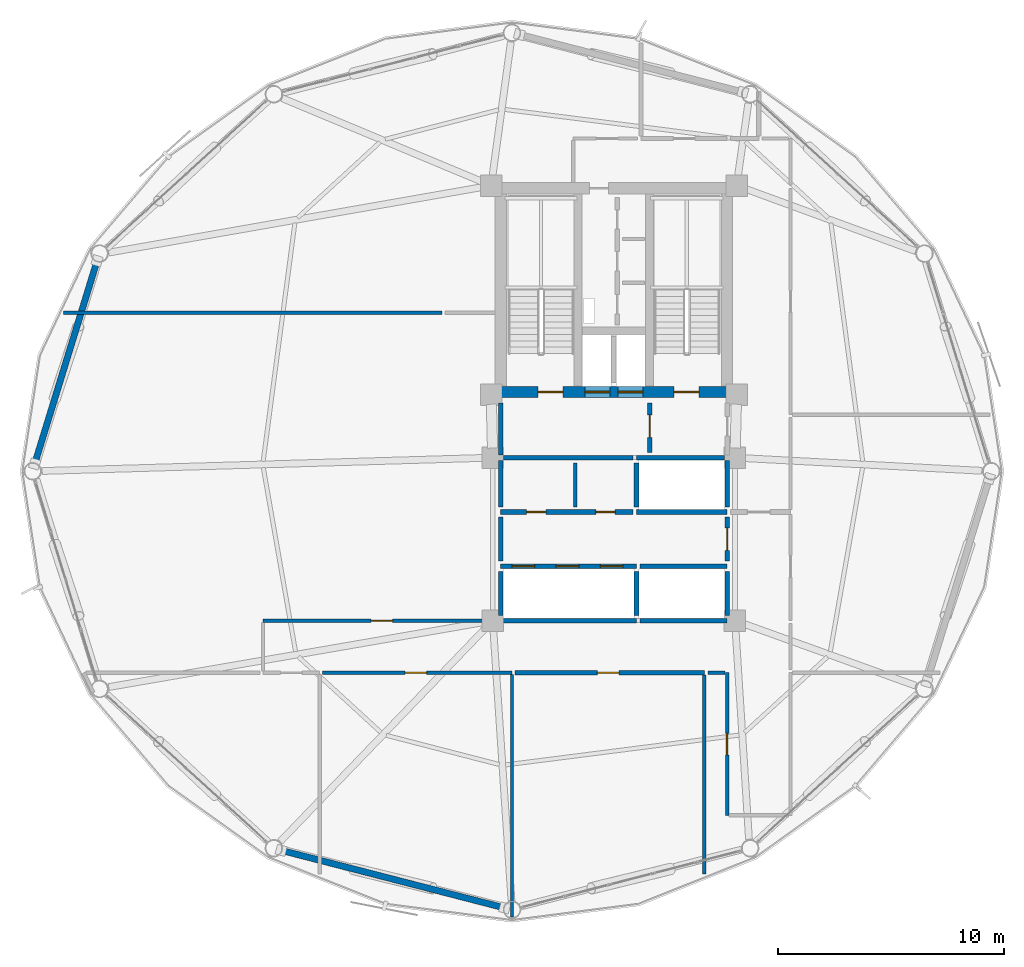
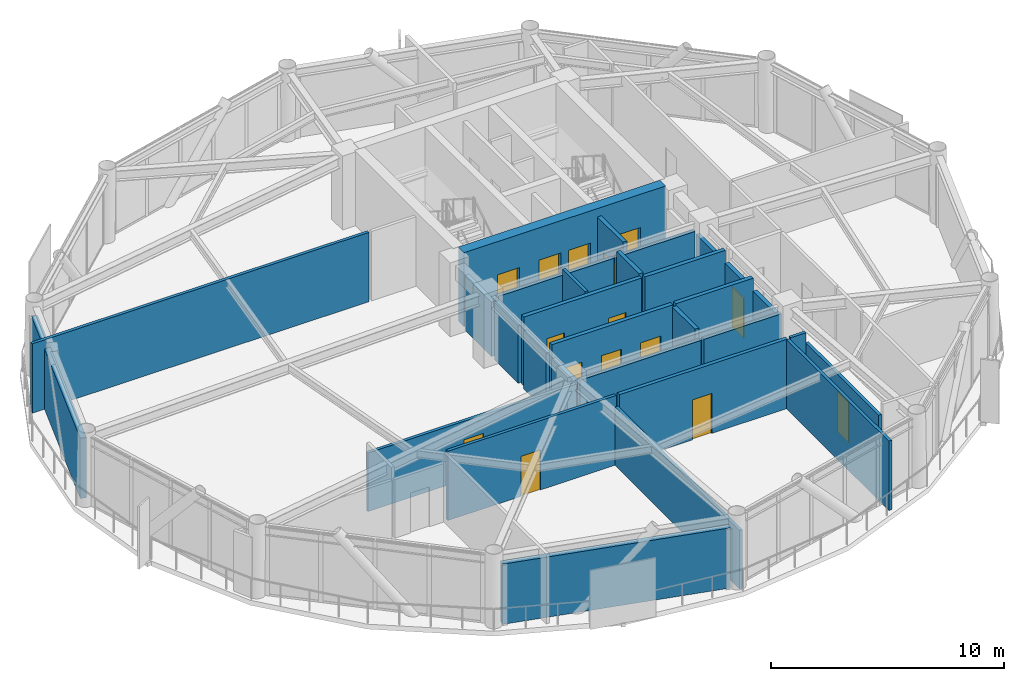
# One storey, part 20 of 25: 30 walls, 15 doors, 15 openings.
"""IFC4 building model written with IfcOpenShell, lengths in metres."""

from ifc_helpers import new_model, si_unit, direction, frame, frame_2d, origin, place, context, subcontext, project, spatial, rectangle, extrude, material, layer, layer_set, type_object, element, fill, save


model = new_model("IFC4")

# Units and contexts
model_context = context("Model", 3, precision=1e-05, world=origin(), true_north=direction((0.0, 1.0)))
body_context = subcontext(model_context, "Body", "Model", "MODEL_VIEW")
ifc_project = project(units=[si_unit("LENGTHUNIT", "METRE"), si_unit("AREAUNIT", "SQUARE_METRE"), si_unit("VOLUMEUNIT", "CUBIC_METRE"), si_unit("PLANEANGLEUNIT", "RADIAN"), si_unit("MASSUNIT", "GRAM", prefix="KILO")], contexts=[model_context])

# Site, building, storey
site_placement = place(None, origin())
site = spatial("IfcSite", under=ifc_project, at=site_placement, CompositionType="ELEMENT")
building_placement = place(site_placement, origin())
building = spatial("IfcBuilding", under=site, at=building_placement, Name="Varnakorn Sky Granary", CompositionType="ELEMENT")
storey_placement = place(building_placement, frame((0.0, 0.0, 126.60009765625)))
storey = spatial("IfcBuildingStorey", under=building, at=storey_placement, Name="L31", CompositionType="ELEMENT", Elevation=126.60009765625)

# Wall, openings, doors
ifc_material_1 = material(Name="Concrete C60/75", Category="concrete")
ifc_layer_1 = layer(ifc_material_1, 0.5, Name="Concrete C60/75")
ifc_layer_set_1 = layer_set([ifc_layer_1], Name="Concrete C60/75")
wall_type_1 = type_object("IfcWallType", Name="WT-CW-SHEAR-500", PredefinedType="SHEAR", material=ifc_layer_set_1)
wall_1_placement = place(storey_placement, frame((-2.0, 3.5, 0.0), z_axis=(0.0, 0.0, 1.0), x_axis=(1.0, 0.0, 0.0)))
wall_1 = element("IfcWall", 1, at=wall_1_placement, inside=storey, type_object=wall_type_1, Name="Core South Shear Wall L31", PredefinedType="SHEAR", context=body_context, shape_type="SweptSolid", body=[
    extrude(rectangle(XDim=10.0, YDim=0.5, at=frame_2d((5.0, 0.0))), origin(), (0.0, 0.0, 1.0), 3.891845703125),
])
opening_1_placement = place(wall_1_placement, frame((1.64990234375, 0.0, 0.0)))
opening_1 = element("IfcOpeningElement", 2, at=opening_1_placement, cuts=wall_1, Name="Opening FD-90", PredefinedType="OPENING", context=body_context, shape_type="SweptSolid", body=[
    extrude(rectangle(XDim=1.10009765625, YDim=2.14990234375, at=frame_2d((0.550048828125, 1.074951171875))), frame((0.0, 0.260009765625, 0.0), z_axis=(0.0, -1.0, 0.0), x_axis=(1.0, 0.0, 0.0)), (0.0, 0.0, 1.0), 0.52001953125),
])
opening_2_placement = place(wall_1_placement, frame((7.64990234375, 0.0, 0.0)))
opening_2 = element("IfcOpeningElement", 3, at=opening_2_placement, cuts=wall_1, Name="Opening FD-90", PredefinedType="OPENING", context=body_context, shape_type="SweptSolid", body=[
    extrude(rectangle(XDim=1.10009765625, YDim=2.14990234375, at=frame_2d((0.550048828125, 1.074951171875))), frame((0.0, 0.260009765625, 0.0), z_axis=(0.0, -1.0, 0.0), x_axis=(1.0, 0.0, 0.0)), (0.0, 0.0, 1.0), 0.52001953125),
])
opening_3_placement = place(wall_1_placement, frame((3.719970703125, 0.0, 0.0)))
opening_3 = element("IfcOpeningElement", 4, at=opening_3_placement, cuts=wall_1, Name="Opening LD-01", PredefinedType="OPENING", context=body_context, shape_type="SweptSolid", body=[
    extrude(rectangle(XDim=1.10009765625, YDim=2.199951171875, at=frame_2d((0.550048828125, 1.10009765625))), frame((0.0, 0.260009765625, 0.0), z_axis=(0.0, -1.0, 0.0), x_axis=(1.0, 0.0, 0.0)), (0.0, 0.0, 1.0), 0.52001953125),
])
opening_4_placement = place(wall_1_placement, frame((5.179931640625, 0.0, 0.0)))
opening_4 = element("IfcOpeningElement", 5, at=opening_4_placement, cuts=wall_1, Name="Opening LD-01", PredefinedType="OPENING", context=body_context, shape_type="SweptSolid", body=[
    extrude(rectangle(XDim=1.10009765625, YDim=2.199951171875, at=frame_2d((0.550048828125, 1.10009765625))), frame((0.0, 0.260009765625, 0.0), z_axis=(0.0, -1.0, 0.0), x_axis=(1.0, 0.0, 0.0)), (0.0, 0.0, 1.0), 0.52001953125),
])
ifc_material_2 = material(Name="Brushed Bronze Stainless Steel", Category="steel")
door_type_1 = type_object("IfcDoorType", Name="DR-LD-1100", OperationType="DOUBLE_DOOR_SLIDING", PredefinedType="DOOR", material=ifc_material_2)
door_1_placement = place(opening_3_placement, origin())
door_1 = element("IfcDoor", 6, at=door_1_placement, inside=storey, type_object=door_type_1, Name="Firefighting Lift FFL-1 Landing Door L31", OperationType="DOUBLE_DOOR_SLIDING", OverallHeight=2.199951171875, OverallWidth=1.10009765625, PredefinedType="DOOR", context=body_context, shape_type="SweptSolid", body=[
    extrude(rectangle(XDim=1.10009765625, YDim=2.199951171875, at=frame_2d((0.550048828125, 1.10009765625))), frame((0.0, 0.02490234375, 0.0), z_axis=(0.0, -1.0, 0.0), x_axis=(1.0, 0.0, 0.0)), (0.0, 0.0, 1.0), 0.050048828125),
])
fill(opening_3, door_1)
door_2_placement = place(opening_4_placement, origin())
door_2 = element("IfcDoor", 7, at=door_2_placement, inside=storey, type_object=door_type_1, Name="Firefighting Lift FFL-2 Landing Door L31", OperationType="DOUBLE_DOOR_SLIDING", OverallHeight=2.199951171875, OverallWidth=1.10009765625, PredefinedType="DOOR", context=body_context, shape_type="SweptSolid", body=[
    extrude(rectangle(XDim=1.10009765625, YDim=2.199951171875, at=frame_2d((0.550048828125, 1.10009765625))), frame((0.0, 0.02490234375, 0.0), z_axis=(0.0, -1.0, 0.0), x_axis=(1.0, 0.0, 0.0)), (0.0, 0.0, 1.0), 0.050048828125),
])
fill(opening_4, door_2)
ifc_material_3 = material(Name="Galvanised Painted Steel Leaf", Category="steel")
door_type_2 = type_object("IfcDoorType", Name="DR-STAIR-1100", OperationType="NOTDEFINED", PredefinedType="DOOR", material=ifc_material_3)
door_3_placement = place(opening_1_placement, origin())
door_3 = element("IfcDoor", 8, at=door_3_placement, inside=storey, type_object=door_type_2, Name="Stair ST-1 Protected Fire Door L31", OperationType="SINGLE_SWING_LEFT", OverallHeight=2.14990234375, OverallWidth=1.10009765625, PredefinedType="DOOR", context=body_context, shape_type="SweptSolid", body=[
    extrude(rectangle(XDim=1.10009765625, YDim=2.14990234375, at=frame_2d((0.550048828125, 1.074951171875))), frame((0.0, 0.02490234375, 0.0), z_axis=(0.0, -1.0, 0.0), x_axis=(1.0, 0.0, 0.0)), (0.0, 0.0, 1.0), 0.050048828125),
])
fill(opening_1, door_3)
door_4_placement = place(opening_2_placement, origin())
door_4 = element("IfcDoor", 9, at=door_4_placement, inside=storey, type_object=door_type_2, Name="Stair ST-2 Protected Fire Door L31", OperationType="SINGLE_SWING_RIGHT", OverallHeight=2.14990234375, OverallWidth=1.10009765625, PredefinedType="DOOR", context=body_context, shape_type="SweptSolid", body=[
    extrude(rectangle(XDim=1.10009765625, YDim=2.14990234375, at=frame_2d((0.550048828125, 1.074951171875))), frame((0.0, 0.02490234375, 0.0), z_axis=(0.0, -1.0, 0.0), x_axis=(1.0, 0.0, 0.0)), (0.0, 0.0, 1.0), 0.050048828125),
])
fill(opening_2, door_4)

# Walls
ifc_material_4 = material(Name="Precast concrete C40/50", Category="concrete")
ifc_layer_2 = layer(ifc_material_4, 0.280029296875, Name="Precast concrete C40/50")
ifc_layer_set_2 = layer_set([ifc_layer_2], Name="Precast concrete C40/50")
wall_type_2 = type_object("IfcWallType", Name="WT-EW-CRN-280", PredefinedType="SOLIDWALL", material=ifc_layer_set_2)
wall_2_placement = place(storey_placement, frame((-22.584228515625, 0.3212890625, 0.0), z_axis=(0.0, 0.0, 1.0), x_axis=(0.293614487482, 0.95592391577, 0.0)))
element("IfcWall", 10, at=wall_2_placement, inside=storey, type_object=wall_type_2, Name="Agritech Insulated Precast Facade Wall L31-P06", PredefinedType="SOLIDWALL", context=body_context, shape_type="SweptSolid", body=[
    extrude(rectangle(XDim=9.390869140625, YDim=0.280029296875, at=frame_2d((4.6953125, 0.0))), origin(), (0.0, 0.0, 1.0), 3.159912109375),
])
wall_3_placement = place(storey_placement, frame((-1.825439453125, -19.2900390625, 0.0), z_axis=(0.0, 0.0, 1.0), x_axis=(-0.968353343562, 0.249583256675, 0.0)))
element("IfcWall", 11, at=wall_3_placement, inside=storey, type_object=wall_type_2, Name="Agritech Insulated Precast Facade Wall L31-P09", PredefinedType="SOLIDWALL", context=body_context, shape_type="SweptSolid", body=[
    extrude(rectangle(XDim=10.19580078125, YDim=0.280029296875, at=frame_2d((5.097900390625, 0.0))), origin(), (0.0, 0.0, 1.0), 3.159912109375),
])

# Wall, opening, door
ifc_material_5 = material(Name="Autoclaved Aerated Concrete Blockwork", Category="masonry")
ifc_layer_3 = layer(ifc_material_5, 0.199951171875, Name="Autoclaved Aerated Concrete Blockwork")
ifc_layer_set_3 = layer_set([ifc_layer_3], Name="Autoclaved Aerated Concrete Blockwork")
wall_type_3 = type_object("IfcWallType", Name="WT-FIRE-200", PredefinedType="MOVABLE", material=ifc_layer_set_3)
wall_4_placement = place(storey_placement, frame((4.580078125, 0.830078125, 0.0), z_axis=(0.0, 0.0, 1.0), x_axis=(0.0, 1.0, 0.0)))
wall_4 = element("IfcWall", 12, at=wall_4_placement, inside=storey, type_object=wall_type_3, Name="Interior Partition Wall L31-014", PredefinedType="MOVABLE", context=body_context, shape_type="SweptSolid", body=[
    extrude(rectangle(XDim=2.18994140625, YDim=0.199951171875, at=frame_2d((1.094970703125, 0.0))), origin(), (0.0, 0.0, 1.0), 3.639892578125),
])
opening_5_placement = place(wall_4_placement, frame((0.659912109375, 0.0, 0.0)))
opening_5 = element("IfcOpeningElement", 13, at=opening_5_placement, cuts=wall_4, Name="Opening FD-60", PredefinedType="OPENING", context=body_context, shape_type="SweptSolid", body=[
    extrude(rectangle(XDim=1.0, YDim=2.10009765625, at=frame_2d((0.5, 1.050048828125))), frame((0.0, 0.10986328125, 0.0), z_axis=(0.0, -1.0, 0.0), x_axis=(1.0, 0.0, 0.0)), (0.0, 0.0, 1.0), 0.219970703125),
])
ifc_material_6 = material(Name="Acoustic Timber Fire Leaf", Category="wood")
door_type_3 = type_object("IfcDoorType", Name="DR-FD60-1000", OperationType="NOTDEFINED", PredefinedType="DOOR", material=ifc_material_6)
door_5_placement = place(opening_5_placement, origin())
door_5 = element("IfcDoor", 14, at=door_5_placement, inside=storey, type_object=door_type_3, Name="Interior Door L31-014-1", OperationType="SINGLE_SWING_RIGHT", OverallHeight=2.10009765625, OverallWidth=1.0, PredefinedType="DOOR", context=body_context, shape_type="SweptSolid", body=[
    extrude(rectangle(XDim=1.0, YDim=2.10009765625, at=frame_2d((0.5, 1.050048828125))), frame((0.0, 0.02490234375, 0.0), z_axis=(0.0, -1.0, 0.0), x_axis=(1.0, 0.0, 0.0)), (0.0, 0.0, 1.0), 0.050048828125),
])
fill(opening_5, door_5)

wall_5_placement = place(storey_placement, frame((8.0, -3.969970703125, 0.0), z_axis=(0.0, 0.0, 1.0), x_axis=(0.0, 1.0, 0.0)))
wall_5 = element("IfcWall", 15, at=wall_5_placement, inside=storey, type_object=wall_type_3, Name="Interior Partition Wall L31-016", PredefinedType="MOVABLE", context=body_context, shape_type="SweptSolid", body=[
    extrude(rectangle(XDim=1.93994140625, YDim=0.199951171875, at=frame_2d((0.969970703125, 0.0))), origin(), (0.0, 0.0, 1.0), 3.072021484375),
])
opening_6_placement = place(wall_5_placement, frame((0.469970703125, 0.0, 0.0)))
opening_6 = element("IfcOpeningElement", 16, at=opening_6_placement, cuts=wall_5, Name="Opening FD-60", PredefinedType="OPENING", context=body_context, shape_type="SweptSolid", body=[
    extrude(rectangle(XDim=1.0, YDim=2.10009765625, at=frame_2d((0.5, 1.050048828125))), frame((0.0, 0.10986328125, 0.0), z_axis=(0.0, -1.0, 0.0), x_axis=(1.0, 0.0, 0.0)), (0.0, 0.0, 1.0), 0.219970703125),
])
door_6_placement = place(opening_6_placement, origin())
door_6 = element("IfcDoor", 17, at=door_6_placement, inside=storey, type_object=door_type_3, Name="Interior Door L31-016-1", OperationType="SINGLE_SWING_RIGHT", OverallHeight=2.10009765625, OverallWidth=1.0, PredefinedType="DOOR", context=body_context, shape_type="SweptSolid", body=[
    extrude(rectangle(XDim=1.0, YDim=2.10009765625, at=frame_2d((0.5, 1.050048828125))), frame((0.0, 0.02490234375, 0.0), z_axis=(0.0, -1.0, 0.0), x_axis=(1.0, 0.0, 0.0)), (0.0, 0.0, 1.0), 0.050048828125),
])
fill(opening_6, door_6)

# Wall, openings, doors
wall_6_placement = place(storey_placement, frame((-2.0, -1.800048828125, 0.0), z_axis=(0.0, 0.0, 1.0), x_axis=(1.0, 0.0, 0.0)))
wall_6 = element("IfcWall", 18, at=wall_6_placement, inside=storey, type_object=wall_type_3, Name="Interior Partition Wall L31-017", PredefinedType="MOVABLE", context=body_context, shape_type="SweptSolid", body=[
    extrude(rectangle(XDim=5.840087890625, YDim=0.199951171875, at=frame_2d((2.919921875, 0.0))), origin(), (0.0, 0.0, 1.0), 3.639892578125),
])
opening_7_placement = place(wall_6_placement, frame((1.14990234375, 0.0, 0.0)))
opening_7 = element("IfcOpeningElement", 19, at=opening_7_placement, cuts=wall_6, Name="Opening FD-60N", PredefinedType="OPENING", context=body_context, shape_type="SweptSolid", body=[
    extrude(rectangle(XDim=0.85009765625, YDim=2.10009765625, at=frame_2d((0.425048828125, 1.050048828125))), frame((0.0, 0.10986328125, 0.0), z_axis=(0.0, -1.0, 0.0), x_axis=(1.0, 0.0, 0.0)), (0.0, 0.0, 1.0), 0.219970703125),
])
opening_8_placement = place(wall_6_placement, frame((4.199951171875, 0.0, 0.0)))
opening_8 = element("IfcOpeningElement", 20, at=opening_8_placement, cuts=wall_6, Name="Opening FD-60N", PredefinedType="OPENING", context=body_context, shape_type="SweptSolid", body=[
    extrude(rectangle(XDim=0.85009765625, YDim=2.10009765625, at=frame_2d((0.425048828125, 1.050048828125))), frame((0.0, 0.10986328125, 0.0), z_axis=(0.0, -1.0, 0.0), x_axis=(1.0, 0.0, 0.0)), (0.0, 0.0, 1.0), 0.219970703125),
])
door_type_4 = type_object("IfcDoorType", Name="DR-FD60-850", OperationType="NOTDEFINED", PredefinedType="DOOR", material=ifc_material_6)
door_7_placement = place(opening_7_placement, origin())
door_7 = element("IfcDoor", 21, at=door_7_placement, inside=storey, type_object=door_type_4, Name="Interior Door L31-017-1", OperationType="SINGLE_SWING_LEFT", OverallHeight=2.10009765625, OverallWidth=0.85009765625, PredefinedType="DOOR", context=body_context, shape_type="SweptSolid", body=[
    extrude(rectangle(XDim=0.85009765625, YDim=2.10009765625, at=frame_2d((0.425048828125, 1.050048828125))), frame((0.0, 0.02490234375, 0.0), z_axis=(0.0, -1.0, 0.0), x_axis=(1.0, 0.0, 0.0)), (0.0, 0.0, 1.0), 0.050048828125),
])
fill(opening_7, door_7)
door_8_placement = place(opening_8_placement, origin())
door_8 = element("IfcDoor", 22, at=door_8_placement, inside=storey, type_object=door_type_4, Name="Interior Door L31-017-2", OperationType="SINGLE_SWING_RIGHT", OverallHeight=2.10009765625, OverallWidth=0.85009765625, PredefinedType="DOOR", context=body_context, shape_type="SweptSolid", body=[
    extrude(rectangle(XDim=0.85009765625, YDim=2.10009765625, at=frame_2d((0.425048828125, 1.050048828125))), frame((0.0, 0.02490234375, 0.0), z_axis=(0.0, -1.0, 0.0), x_axis=(1.0, 0.0, 0.0)), (0.0, 0.0, 1.0), 0.050048828125),
])
fill(opening_8, door_8)

# Walls
wall_7_placement = place(storey_placement, frame((-1.8798828125, 0.60009765625, 0.0), z_axis=(0.0, 0.0, 1.0), x_axis=(1.0, 0.0, 0.0)))
element("IfcWall", 23, at=wall_7_placement, inside=storey, type_object=wall_type_3, Name="Interior Partition Wall L31-030", PredefinedType="MOVABLE", context=body_context, shape_type="SweptSolid", body=[
    extrude(rectangle(XDim=5.719970703125, YDim=0.199951171875, at=frame_2d((2.85986328125, 0.0))), origin(), (0.0, 0.0, 1.0), 3.221923828125),
])
wall_8_placement = place(storey_placement, frame((-2.0, 0.719970703125, 0.0), z_axis=(0.0, 0.0, 1.0), x_axis=(0.0, 1.0, 0.0)))
element("IfcWall", 24, at=wall_8_placement, inside=storey, type_object=wall_type_3, Name="Interior Partition Wall L31-031", PredefinedType="MOVABLE", context=body_context, shape_type="SweptSolid", body=[
    extrude(rectangle(XDim=2.300048828125, YDim=0.199951171875, at=frame_2d((1.14990234375, 0.0))), origin(), (0.0, 0.0, 1.0), 2.871826171875),
])
wall_9_placement = place(storey_placement, frame((-2.0, -3.969970703125, 0.0), z_axis=(0.0, 0.0, 1.0), x_axis=(0.0, 1.0, 0.0)))
element("IfcWall", 25, at=wall_9_placement, inside=storey, type_object=wall_type_3, Name="Interior Partition Wall L31-032", PredefinedType="MOVABLE", context=body_context, shape_type="SweptSolid", body=[
    extrude(rectangle(XDim=1.93994140625, YDim=0.199951171875, at=frame_2d((0.969970703125, 0.0))), origin(), (0.0, 0.0, 1.0), 3.02197265625),
])
wall_10_placement = place(storey_placement, frame((-2.0, -1.570068359375, 0.0), z_axis=(0.0, 0.0, 1.0), x_axis=(0.0, 1.0, 0.0)))
element("IfcWall", 26, at=wall_10_placement, inside=storey, type_object=wall_type_3, Name="Interior Partition Wall L31-034", PredefinedType="MOVABLE", context=body_context, shape_type="SweptSolid", body=[
    extrude(rectangle(XDim=2.050048828125, YDim=0.199951171875, at=frame_2d((1.02490234375, 0.0))), origin(), (0.0, 0.0, 1.0), 3.02197265625),
])

# Wall, opening, door
ifc_material_7 = material(Name="Gypsum Plasterboard on Steel Stud", Category="steel")
ifc_layer_4 = layer(ifc_material_7, 0.14990234375, Name="Gypsum Plasterboard on Steel Stud")
ifc_layer_set_4 = layer_set([ifc_layer_4], Name="Gypsum Plasterboard on Steel Stud")
wall_type_4 = type_object("IfcWallType", Name="WT-PART-150", PredefinedType="PARTITIONING", material=ifc_layer_set_4)
wall_11_placement = place(storey_placement, frame((-9.864990234375, -8.89990234375, 0.0), z_axis=(0.0, 0.0, 1.0), x_axis=(1.0, 0.0, 0.0)))
wall_11 = element("IfcWall", 27, at=wall_11_placement, inside=storey, type_object=wall_type_4, Name="Interior Partition Wall L31-021", PredefinedType="PARTITIONING", context=body_context, shape_type="SweptSolid", body=[
    extrude(rectangle(XDim=8.364990234375, YDim=0.14990234375, at=frame_2d((4.1826171875, 0.0))), origin(), (0.0, 0.0, 1.0), 3.639892578125),
])
opening_9_placement = place(wall_11_placement, frame((3.639892578125, 0.0, 0.0)))
opening_9 = element("IfcOpeningElement", 28, at=opening_9_placement, cuts=wall_11, Name="Opening ID-95", PredefinedType="OPENING", context=body_context, shape_type="SweptSolid", body=[
    extrude(rectangle(XDim=0.949951171875, YDim=2.10009765625, at=frame_2d((0.47509765625, 1.050048828125))), frame((0.0, 0.0849609375, 0.0), z_axis=(0.0, -1.0, 0.0), x_axis=(1.0, 0.0, 0.0)), (0.0, 0.0, 1.0), 0.169921875),
])
ifc_material_8 = material(Name="Solid-Core Teak Veneer Leaf", Category="timber")
door_type_5 = type_object("IfcDoorType", Name="DR-INT-950", OperationType="NOTDEFINED", PredefinedType="DOOR", material=ifc_material_8)
door_9_placement = place(opening_9_placement, origin())
door_9 = element("IfcDoor", 29, at=door_9_placement, inside=storey, type_object=door_type_5, Name="Interior Door L31-021-1", OperationType="SINGLE_SWING_RIGHT", OverallHeight=2.10009765625, OverallWidth=0.949951171875, PredefinedType="DOOR", context=body_context, shape_type="SweptSolid", body=[
    extrude(rectangle(XDim=0.949951171875, YDim=2.10009765625, at=frame_2d((0.47509765625, 1.050048828125))), frame((0.0, 0.02490234375, 0.0), z_axis=(0.0, -1.0, 0.0), x_axis=(1.0, 0.0, 0.0)), (0.0, 0.0, 1.0), 0.050048828125),
])
fill(opening_9, door_9)

wall_12_placement = place(storey_placement, frame((8.0, -8.89990234375, 0.0), z_axis=(0.0, 0.0, 1.0), x_axis=(0.0, -1.0, 0.0)))
wall_12 = element("IfcWall", 30, at=wall_12_placement, inside=storey, type_object=wall_type_4, Name="Interior Partition Wall L31-023", PredefinedType="PARTITIONING", context=body_context, shape_type="SweptSolid", body=[
    extrude(rectangle(XDim=6.300048828125, YDim=0.14990234375, at=frame_2d((3.14990234375, 0.0))), origin(), (0.0, 0.0, 1.0), 3.072021484375),
])
opening_10_placement = place(wall_12_placement, frame((2.675048828125, 0.0, 0.0)))
opening_10 = element("IfcOpeningElement", 31, at=opening_10_placement, cuts=wall_12, Name="Opening ID-95", PredefinedType="OPENING", context=body_context, shape_type="SweptSolid", body=[
    extrude(rectangle(XDim=0.949951171875, YDim=2.10009765625, at=frame_2d((0.47509765625, 1.050048828125))), frame((0.0, 0.0849609375, 0.0), z_axis=(0.0, -1.0, 0.0), x_axis=(1.0, 0.0, 0.0)), (0.0, 0.0, 1.0), 0.169921875),
])
door_10_placement = place(opening_10_placement, origin())
door_10 = element("IfcDoor", 32, at=door_10_placement, inside=storey, type_object=door_type_5, Name="Interior Door L31-023-1", OperationType="SINGLE_SWING_RIGHT", OverallHeight=2.10009765625, OverallWidth=0.949951171875, PredefinedType="DOOR", context=body_context, shape_type="SweptSolid", body=[
    extrude(rectangle(XDim=0.949951171875, YDim=2.10009765625, at=frame_2d((0.47509765625, 1.050048828125))), frame((0.0, 0.02490234375, 0.0), z_axis=(0.0, -1.0, 0.0), x_axis=(1.0, 0.0, 0.0)), (0.0, 0.0, 1.0), 0.050048828125),
])
fill(opening_10, door_10)

wall_13_placement = place(storey_placement, frame((-2.159912109375, -6.60009765625, 0.0), z_axis=(0.0, 0.0, 1.0), x_axis=(-1.0, 0.0, 0.0)))
wall_13 = element("IfcWall", 33, at=wall_13_placement, inside=storey, type_object=wall_type_4, Name="Interior Partition Wall L31-024", PredefinedType="PARTITIONING", context=body_context, shape_type="SweptSolid", body=[
    extrude(rectangle(XDim=10.340087890625, YDim=0.14990234375, at=frame_2d((5.169921875, 0.0))), origin(), (0.0, 0.0, 1.0), 3.072021484375),
])
opening_11_placement = place(wall_13_placement, frame((4.614990234375, 0.0, 0.0)))
opening_11 = element("IfcOpeningElement", 34, at=opening_11_placement, cuts=wall_13, Name="Opening ID-95", PredefinedType="OPENING", context=body_context, shape_type="SweptSolid", body=[
    extrude(rectangle(XDim=0.949951171875, YDim=2.10009765625, at=frame_2d((0.47509765625, 1.050048828125))), frame((0.0, 0.0849609375, 0.0), z_axis=(0.0, -1.0, 0.0), x_axis=(1.0, 0.0, 0.0)), (0.0, 0.0, 1.0), 0.169921875),
])
door_11_placement = place(opening_11_placement, origin())
door_11 = element("IfcDoor", 35, at=door_11_placement, inside=storey, type_object=door_type_5, Name="Interior Door L31-024-1", OperationType="SINGLE_SWING_LEFT", OverallHeight=2.10009765625, OverallWidth=0.949951171875, PredefinedType="DOOR", context=body_context, shape_type="SweptSolid", body=[
    extrude(rectangle(XDim=0.949951171875, YDim=2.10009765625, at=frame_2d((0.47509765625, 1.050048828125))), frame((0.0, 0.02490234375, 0.0), z_axis=(0.0, -1.0, 0.0), x_axis=(1.0, 0.0, 0.0)), (0.0, 0.0, 1.0), 0.050048828125),
])
fill(opening_11, door_11)

# Walls
wall_14_placement = place(storey_placement, frame((1.300048828125, -1.570068359375, 0.0), z_axis=(0.0, 0.0, 1.0), x_axis=(0.0, 1.0, 0.0)))
element("IfcWall", 36, at=wall_14_placement, inside=storey, type_object=wall_type_4, Name="Interior Partition Wall L31-033", PredefinedType="PARTITIONING", context=body_context, shape_type="SweptSolid", body=[
    extrude(rectangle(XDim=1.940185546875, YDim=0.14990234375, at=frame_2d((0.97021484375, 0.0))), origin(), (0.0, 0.0, 1.0), 3.639892578125),
])
wall_15_placement = place(storey_placement, frame((-1.5, -8.985107421875, 0.0), z_axis=(0.0, 0.0, 1.0), x_axis=(0.0, -1.0, 0.0)))
element("IfcWall", 37, at=wall_15_placement, inside=storey, type_object=wall_type_4, Name="Interior Partition Wall L31-039", PredefinedType="PARTITIONING", context=body_context, shape_type="SweptSolid", body=[
    extrude(rectangle(XDim=10.698974609375, YDim=0.14990234375, at=frame_2d((5.349609375, 0.0))), origin(), (0.0, 0.0, 1.0), 3.072021484375),
])
wall_16_placement = place(storey_placement, frame((7.0, -9.0, 0.0), z_axis=(0.0, 0.0, 1.0), x_axis=(0.0, -1.0, 0.0)))
element("IfcWall", 38, at=wall_16_placement, inside=storey, type_object=wall_type_4, Name="Interior Partition Wall L31-040", PredefinedType="PARTITIONING", context=body_context, shape_type="SweptSolid", body=[
    extrude(rectangle(XDim=8.797119140625, YDim=0.14990234375, at=frame_2d((4.3984375, 0.0))), origin(), (0.0, 0.0, 1.0), 3.639892578125),
])
wall_17_placement = place(storey_placement, frame((7.14990234375, -8.89990234375, 0.0), z_axis=(0.0, 0.0, 1.0), x_axis=(1.0, 0.0, 0.0)))
element("IfcWall", 39, at=wall_17_placement, inside=storey, type_object=wall_type_4, Name="Interior Partition Wall L31-043", PredefinedType="PARTITIONING", context=body_context, shape_type="SweptSolid", body=[
    extrude(rectangle(XDim=0.76513671875, YDim=0.14990234375, at=frame_2d((0.382568359375, 0.0))), origin(), (0.0, 0.0, 1.0), 3.639892578125),
])
wall_18_placement = place(storey_placement, frame((-21.31005859375, 7.0, 0.0), z_axis=(0.0, 0.0, 1.0), x_axis=(1.0, 0.0, 0.0)))
element("IfcWall", 40, at=wall_18_placement, inside=storey, type_object=wall_type_4, Name="Interior Partition Wall L31-046", PredefinedType="PARTITIONING", context=body_context, shape_type="SweptSolid", body=[
    extrude(rectangle(XDim=16.7099609375, YDim=0.14990234375, at=frame_2d((8.35498046875, 0.0))), origin(), (0.0, 0.0, 1.0), 3.639892578125),
])

# Wall, opening, door
ifc_material_9 = material(Name="Moisture-Resistant Gypsum on Stud", Category="gypsum")
ifc_layer_5 = layer(ifc_material_9, 0.179931640625, Name="Moisture-Resistant Gypsum on Stud")
ifc_layer_set_5 = layer_set([ifc_layer_5], Name="Moisture-Resistant Gypsum on Stud")
wall_type_5 = type_object("IfcWallType", Name="WT-PLUMB-180", PredefinedType="PLUMBINGWALL", material=ifc_layer_set_5)
wall_19_placement = place(storey_placement, frame((-1.364990234375, -8.89990234375, 0.0), z_axis=(0.0, 0.0, 1.0), x_axis=(1.0, 0.0, 0.0)))
wall_19 = element("IfcWall", 41, at=wall_19_placement, inside=storey, type_object=wall_type_5, Name="Interior Partition Wall L31-022", PredefinedType="PLUMBINGWALL", context=body_context, shape_type="SweptSolid", body=[
    extrude(rectangle(XDim=8.364990234375, YDim=0.179931640625, at=frame_2d((4.1826171875, 0.0))), origin(), (0.0, 0.0, 1.0), 3.639892578125),
])
opening_12_placement = place(wall_19_placement, frame((3.639892578125, 0.0, 0.0)))
opening_12 = element("IfcOpeningElement", 42, at=opening_12_placement, cuts=wall_19, Name="Opening ID-95", PredefinedType="OPENING", context=body_context, shape_type="SweptSolid", body=[
    extrude(rectangle(XDim=0.949951171875, YDim=2.10009765625, at=frame_2d((0.47509765625, 1.050048828125))), frame((0.0, 0.10009765625, 0.0), z_axis=(0.0, -1.0, 0.0), x_axis=(1.0, 0.0, 0.0)), (0.0, 0.0, 1.0), 0.199951171875),
])
door_12_placement = place(opening_12_placement, origin())
door_12 = element("IfcDoor", 43, at=door_12_placement, inside=storey, type_object=door_type_5, Name="Interior Door L31-022-1", OperationType="SINGLE_SWING_LEFT", OverallHeight=2.10009765625, OverallWidth=0.949951171875, PredefinedType="DOOR", context=body_context, shape_type="SweptSolid", body=[
    extrude(rectangle(XDim=0.949951171875, YDim=2.10009765625, at=frame_2d((0.47509765625, 1.050048828125))), frame((0.0, 0.02490234375, 0.0), z_axis=(0.0, -1.0, 0.0), x_axis=(1.0, 0.0, 0.0)), (0.0, 0.0, 1.0), 0.050048828125),
])
fill(opening_12, door_12)

# Walls
ifc_layer_6 = layer(ifc_material_5, 0.199951171875, Name="Autoclaved Aerated Concrete Blockwork")
ifc_layer_set_6 = layer_set([ifc_layer_6], Name="Autoclaved Aerated Concrete Blockwork")
wall_type_6 = type_object("IfcWallType", Name="WT-SHAFT-200", PredefinedType="SOLIDWALL", material=ifc_layer_set_6)
wall_20_placement = place(storey_placement, frame((4.0, 0.60009765625, 0.0), z_axis=(0.0, 0.0, 1.0), x_axis=(1.0, 0.0, 0.0)))
element("IfcWall", 44, at=wall_20_placement, inside=storey, type_object=wall_type_6, Name="Interior Partition Wall L31-002", PredefinedType="SOLIDWALL", context=body_context, shape_type="SweptSolid", body=[
    extrude(rectangle(XDim=3.8798828125, YDim=0.199951171875, at=frame_2d((1.93994140625, 0.0))), origin(), (0.0, 0.0, 1.0), 3.221923828125),
])
wall_21_placement = place(storey_placement, frame((4.0, -1.800048828125, 0.0), z_axis=(0.0, 0.0, 1.0), x_axis=(1.0, 0.0, 0.0)))
element("IfcWall", 45, at=wall_21_placement, inside=storey, type_object=wall_type_6, Name="Interior Partition Wall L31-003", PredefinedType="SOLIDWALL", context=body_context, shape_type="SweptSolid", body=[
    extrude(rectangle(XDim=4.0, YDim=0.199951171875, at=frame_2d((2.0, 0.0))), origin(), (0.0, 0.0, 1.0), 3.639892578125),
])
wall_22_placement = place(storey_placement, frame((4.0, -1.570068359375, 0.0), z_axis=(0.0, 0.0, 1.0), x_axis=(0.0, 1.0, 0.0)))
element("IfcWall", 46, at=wall_22_placement, inside=storey, type_object=wall_type_6, Name="Interior Partition Wall L31-004", PredefinedType="SOLIDWALL", context=body_context, shape_type="SweptSolid", body=[
    extrude(rectangle(XDim=1.940185546875, YDim=0.199951171875, at=frame_2d((0.97021484375, 0.0))), origin(), (0.0, 0.0, 1.0), 3.639892578125),
])
wall_23_placement = place(storey_placement, frame((8.0, -1.570068359375, 0.0), z_axis=(0.0, 0.0, 1.0), x_axis=(0.0, 1.0, 0.0)))
element("IfcWall", 47, at=wall_23_placement, inside=storey, type_object=wall_type_6, Name="Interior Partition Wall L31-005", PredefinedType="SOLIDWALL", context=body_context, shape_type="SweptSolid", body=[
    extrude(rectangle(XDim=2.050048828125, YDim=0.199951171875, at=frame_2d((1.02490234375, 0.0))), origin(), (0.0, 0.0, 1.0), 3.072021484375),
])

# Wall, openings, doors
wall_24_placement = place(storey_placement, frame((-2.0, -4.199951171875, 0.0), z_axis=(0.0, 0.0, 1.0), x_axis=(1.0, 0.0, 0.0)))
wall_24 = element("IfcWall", 48, at=wall_24_placement, inside=storey, type_object=wall_type_6, Name="Interior Partition Wall L31-006", PredefinedType="SOLIDWALL", context=body_context, shape_type="SweptSolid", body=[
    extrude(rectangle(XDim=6.0, YDim=0.199951171875, at=frame_2d((3.0, 0.0))), origin(), (0.0, 0.0, 1.0), 3.639892578125),
])
opening_13_placement = place(wall_24_placement, frame((0.5, 0.0, 0.0)))
opening_13 = element("IfcOpeningElement", 49, at=opening_13_placement, cuts=wall_24, Name="Opening LD-03", PredefinedType="OPENING", context=body_context, shape_type="SweptSolid", body=[
    extrude(rectangle(XDim=1.0, YDim=2.199951171875, at=frame_2d((0.5, 1.10009765625))), frame((0.0, 0.10986328125, 0.0), z_axis=(0.0, -1.0, 0.0), x_axis=(1.0, 0.0, 0.0)), (0.0, 0.0, 1.0), 0.219970703125),
])
opening_14_placement = place(wall_24_placement, frame((2.449951171875, 0.0, 0.0)))
opening_14 = element("IfcOpeningElement", 50, at=opening_14_placement, cuts=wall_24, Name="Opening LD-03", PredefinedType="OPENING", context=body_context, shape_type="SweptSolid", body=[
    extrude(rectangle(XDim=1.0, YDim=2.199951171875, at=frame_2d((0.5, 1.10009765625))), frame((0.0, 0.10986328125, 0.0), z_axis=(0.0, -1.0, 0.0), x_axis=(1.0, 0.0, 0.0)), (0.0, 0.0, 1.0), 0.219970703125),
])
opening_15_placement = place(wall_24_placement, frame((4.39990234375, 0.0, 0.0)))
opening_15 = element("IfcOpeningElement", 51, at=opening_15_placement, cuts=wall_24, Name="Opening LD-03", PredefinedType="OPENING", context=body_context, shape_type="SweptSolid", body=[
    extrude(rectangle(XDim=1.0, YDim=2.199951171875, at=frame_2d((0.5, 1.10009765625))), frame((0.0, 0.10986328125, 0.0), z_axis=(0.0, -1.0, 0.0), x_axis=(1.0, 0.0, 0.0)), (0.0, 0.0, 1.0), 0.219970703125),
])
door_type_6 = type_object("IfcDoorType", Name="DR-LD-1000", OperationType="DOUBLE_DOOR_SLIDING", PredefinedType="DOOR", material=ifc_material_2)
door_13_placement = place(opening_13_placement, origin())
door_13 = element("IfcDoor", 52, at=door_13_placement, inside=storey, type_object=door_type_6, Name="Passenger Lift PL-M1 Sliding Landing Door L31", OperationType="DOUBLE_DOOR_SLIDING", OverallHeight=2.199951171875, OverallWidth=1.0, PredefinedType="DOOR", context=body_context, shape_type="SweptSolid", body=[
    extrude(rectangle(XDim=1.0, YDim=2.199951171875, at=frame_2d((0.5, 1.10009765625))), frame((0.0, 0.02490234375, 0.0), z_axis=(0.0, -1.0, 0.0), x_axis=(1.0, 0.0, 0.0)), (0.0, 0.0, 1.0), 0.050048828125),
])
fill(opening_13, door_13)
door_14_placement = place(opening_14_placement, origin())
door_14 = element("IfcDoor", 53, at=door_14_placement, inside=storey, type_object=door_type_6, Name="Passenger Lift PL-M2 Sliding Landing Door L31", OperationType="DOUBLE_DOOR_SLIDING", OverallHeight=2.199951171875, OverallWidth=1.0, PredefinedType="DOOR", context=body_context, shape_type="SweptSolid", body=[
    extrude(rectangle(XDim=1.0, YDim=2.199951171875, at=frame_2d((0.5, 1.10009765625))), frame((0.0, 0.02490234375, 0.0), z_axis=(0.0, -1.0, 0.0), x_axis=(1.0, 0.0, 0.0)), (0.0, 0.0, 1.0), 0.050048828125),
])
fill(opening_14, door_14)
door_15_placement = place(opening_15_placement, origin())
door_15 = element("IfcDoor", 54, at=door_15_placement, inside=storey, type_object=door_type_6, Name="Passenger Lift PL-M3 Sliding Landing Door L31", OperationType="DOUBLE_DOOR_SLIDING", OverallHeight=2.199951171875, OverallWidth=1.0, PredefinedType="DOOR", context=body_context, shape_type="SweptSolid", body=[
    extrude(rectangle(XDim=1.0, YDim=2.199951171875, at=frame_2d((0.5, 1.10009765625))), frame((0.0, 0.02490234375, 0.0), z_axis=(0.0, -1.0, 0.0), x_axis=(1.0, 0.0, 0.0)), (0.0, 0.0, 1.0), 0.050048828125),
])
fill(opening_15, door_15)

# Walls
wall_25_placement = place(storey_placement, frame((-2.0, -6.60009765625, 0.0), z_axis=(0.0, 0.0, 1.0), x_axis=(1.0, 0.0, 0.0)))
element("IfcWall", 55, at=wall_25_placement, inside=storey, type_object=wall_type_6, Name="Interior Partition Wall L31-007", PredefinedType="SOLIDWALL", context=body_context, shape_type="SweptSolid", body=[
    extrude(rectangle(XDim=6.0, YDim=0.199951171875, at=frame_2d((3.0, 0.0))), origin(), (0.0, 0.0, 1.0), 3.221923828125),
])
wall_26_placement = place(storey_placement, frame((-2.0, -6.3701171875, 0.0), z_axis=(0.0, 0.0, 1.0), x_axis=(0.0, 1.0, 0.0)))
element("IfcWall", 56, at=wall_26_placement, inside=storey, type_object=wall_type_6, Name="Interior Partition Wall L31-008", PredefinedType="SOLIDWALL", context=body_context, shape_type="SweptSolid", body=[
    extrude(rectangle(XDim=1.940185546875, YDim=0.199951171875, at=frame_2d((0.97021484375, 0.0))), origin(), (0.0, 0.0, 1.0), 3.02197265625),
])
wall_27_placement = place(storey_placement, frame((4.159912109375, -4.199951171875, 0.0), z_axis=(0.0, 0.0, 1.0), x_axis=(1.0, 0.0, 0.0)))
element("IfcWall", 57, at=wall_27_placement, inside=storey, type_object=wall_type_6, Name="Interior Partition Wall L31-009", PredefinedType="SOLIDWALL", context=body_context, shape_type="SweptSolid", body=[
    extrude(rectangle(XDim=3.840087890625, YDim=0.199951171875, at=frame_2d((1.919921875, 0.0))), origin(), (0.0, 0.0, 1.0), 3.639892578125),
])
wall_28_placement = place(storey_placement, frame((4.159912109375, -6.60009765625, 0.0), z_axis=(0.0, 0.0, 1.0), x_axis=(1.0, 0.0, 0.0)))
element("IfcWall", 58, at=wall_28_placement, inside=storey, type_object=wall_type_6, Name="Interior Partition Wall L31-010", PredefinedType="SOLIDWALL", context=body_context, shape_type="SweptSolid", body=[
    extrude(rectangle(XDim=3.840087890625, YDim=0.199951171875, at=frame_2d((1.919921875, 0.0))), origin(), (0.0, 0.0, 1.0), 3.221923828125),
])
wall_29_placement = place(storey_placement, frame((4.0, -6.3701171875, 0.0), z_axis=(0.0, 0.0, 1.0), x_axis=(0.0, 1.0, 0.0)))
element("IfcWall", 59, at=wall_29_placement, inside=storey, type_object=wall_type_6, Name="Interior Partition Wall L31-011", PredefinedType="SOLIDWALL", context=body_context, shape_type="SweptSolid", body=[
    extrude(rectangle(XDim=1.940185546875, YDim=0.199951171875, at=frame_2d((0.97021484375, 0.0))), origin(), (0.0, 0.0, 1.0), 3.639892578125),
])
wall_30_placement = place(storey_placement, frame((8.0, -6.3701171875, 0.0), z_axis=(0.0, 0.0, 1.0), x_axis=(0.0, 1.0, 0.0)))
element("IfcWall", 60, at=wall_30_placement, inside=storey, type_object=wall_type_6, Name="Interior Partition Wall L31-012", PredefinedType="SOLIDWALL", context=body_context, shape_type="SweptSolid", body=[
    extrude(rectangle(XDim=1.940185546875, YDim=0.199951171875, at=frame_2d((0.97021484375, 0.0))), origin(), (0.0, 0.0, 1.0), 3.072021484375),
])

save(model, "model.ifc")
